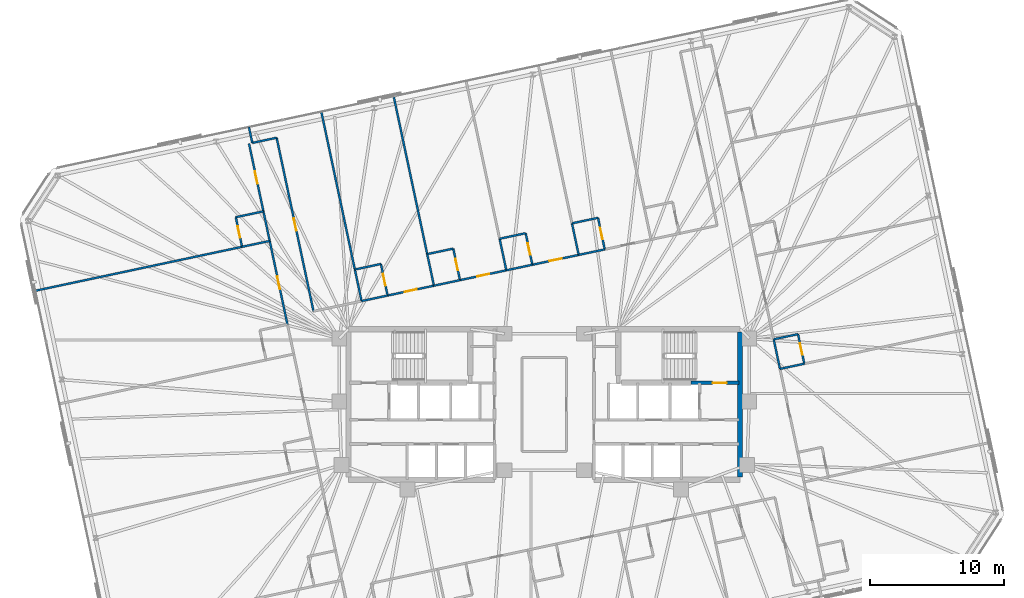
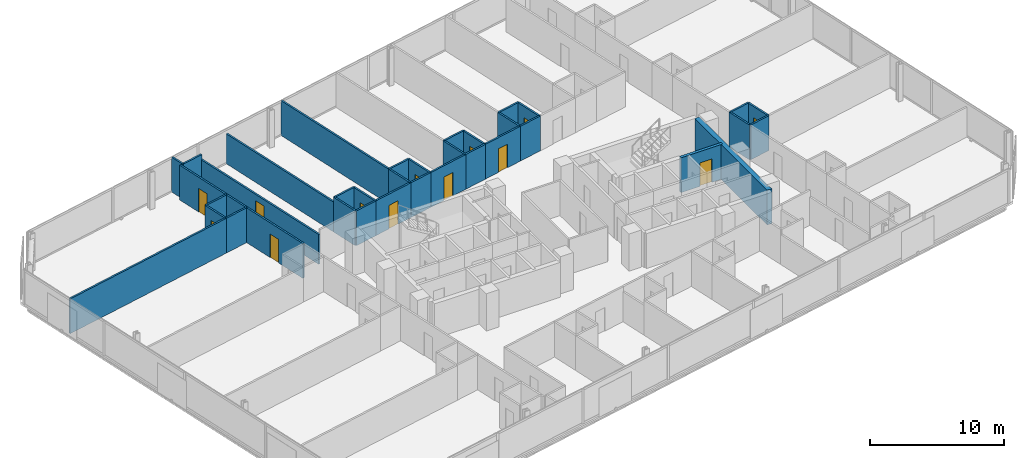
# One storey, part 17 of 20: 37 walls, 13 doors, 13 openings.
"""IFC4 building model written with IfcOpenShell, lengths in metres."""

from ifc_helpers import new_model, si_unit, direction, frame, frame_2d, origin, place, context, subcontext, project, spatial, rectangle, extrude, material, layer, layer_set, type_object, element, fill, save


model = new_model("IFC4")

# Units and contexts
model_context = context("Model", 3, precision=1e-05, world=origin(), true_north=direction((0.0, 1.0)))
body_context = subcontext(model_context, "Body", "Model", "MODEL_VIEW")
ifc_project = project(units=[si_unit("LENGTHUNIT", "METRE"), si_unit("AREAUNIT", "SQUARE_METRE"), si_unit("VOLUMEUNIT", "CUBIC_METRE"), si_unit("PLANEANGLEUNIT", "RADIAN"), si_unit("MASSUNIT", "GRAM", prefix="KILO")], contexts=[model_context])

# Site, building, storey
site_placement = place(None, origin())
site = spatial("IfcSite", under=ifc_project, at=site_placement, CompositionType="ELEMENT")
building_placement = place(site_placement, origin())
building = spatial("IfcBuilding", under=site, at=building_placement, Name="Menara Jurai Vektor", CompositionType="ELEMENT")
storey_placement = place(building_placement, frame((0.0, 0.0, 158.199951171875)))
storey = spatial("IfcBuildingStorey", under=building, at=storey_placement, Name="L40", CompositionType="ELEMENT", Elevation=158.199951171875)

# Wall, opening, door
ifc_material_1 = material(Name="Concrete C40/50", Category="concrete")
ifc_layer_1 = layer(ifc_material_1, 0.25)
ifc_layer_set_1 = layer_set([ifc_layer_1], Name="Concrete C40/50")
wall_type_1 = type_object("IfcWallType", Name="INT-WALL-CORE-250", PredefinedType="STANDARD", material=ifc_layer_set_1)
wall_1_placement = place(storey_placement, frame((10.89990234375, 1.60009765625, 0.0), z_axis=(0.0, 0.0, 1.0), x_axis=(1.0, 0.0, 0.0)))
wall_1 = element("IfcWall", 1, at=wall_1_placement, inside=storey, type_object=wall_type_1, Name="Interior Wall IW-250 L40", PredefinedType="STANDARD", context=body_context, shape_type="SweptSolid", body=[
    extrude(rectangle(XDim=3.60009765625, YDim=0.25, at=frame_2d((1.800048828125, 0.0))), origin(), (0.0, 0.0, 1.0), 3.175048828125),
])
opening_1_placement = place(wall_1_placement, frame((1.6201171875, 0.0, 0.0)))
opening_1 = element("IfcOpeningElement", 2, at=opening_1_placement, cuts=wall_1, Name="Opening D-L40-ST2", PredefinedType="OPENING", context=body_context, shape_type="SweptSolid", body=[
    extrude(rectangle(XDim=1.050048828125, YDim=2.14990234375, at=frame_2d((0.52490234375, 1.074951171875))), frame((0.0, 0.135009765625, 0.0), z_axis=(0.0, -1.0, 0.0), x_axis=(1.0, 0.0, 0.0)), (0.0, 0.0, 1.0), 0.27001953125),
])
ifc_material_2 = material(Name="Fire-Rated Steel Door", Category="steel")
door_type_1 = type_object("IfcDoorType", Name="DR-STAIR-1050", OperationType="NOTDEFINED", PredefinedType="DOOR", material=ifc_material_2)
door_1_placement = place(opening_1_placement, origin())
door_1 = element("IfcDoor", 3, at=door_1_placement, inside=storey, type_object=door_type_1, Name="Exit Stair ST2 Door L40", OperationType="SINGLE_SWING_LEFT", OverallHeight=2.14990234375, OverallWidth=1.050048828125, PredefinedType="DOOR", context=body_context, shape_type="SweptSolid", body=[
    extrude(rectangle(XDim=1.050048828125, YDim=2.14990234375, at=frame_2d((0.52490234375, 1.074951171875))), frame((0.0, 0.02490234375, 0.0), z_axis=(0.0, -1.0, 0.0), x_axis=(1.0, 0.0, 0.0)), (0.0, 0.0, 1.0), 0.050048828125),
])
fill(opening_1, door_1)

# Wall
ifc_material_3 = material(Name="Gypsum Fireboard Partition", Category="gypsum")
ifc_layer_2 = layer(ifc_material_3, 0.14990234375)
ifc_layer_set_2 = layer_set([ifc_layer_2], Name="Gypsum Fireboard Partition")
wall_type_2 = type_object("IfcWallType", Name="INT-WALL-CORR-150", PredefinedType="PARTITIONING", material=ifc_layer_set_2)
wall_2_placement = place(storey_placement, frame((-21.71533203125, 19.447998046875, 0.0), z_axis=(0.0, 0.0, 1.0), x_axis=(0.978160192495, 0.207852442415, 0.0)))
element("IfcWall", 4, at=wall_2_placement, inside=storey, type_object=wall_type_2, Name="Interior Wall IW-150 L40", PredefinedType="PARTITIONING", context=body_context, shape_type="SweptSolid", body=[
    extrude(rectangle(XDim=1.849853515625, YDim=0.14990234375, at=frame_2d((0.9248046875, 0.0))), origin(), (0.0, 0.0, 1.0), 3.175048828125),
])

# Wall, opening, door
wall_3_placement = place(storey_placement, frame((-11.651611328125, 8.097412109375, 0.0), z_axis=(0.0, 0.0, 1.0), x_axis=(0.978153036861, 0.207886114205, 0.0)))
wall_3 = element("IfcWall", 5, at=wall_3_placement, inside=storey, type_object=wall_type_2, Name="Interior Wall IW-150 L40", PredefinedType="PARTITIONING", context=body_context, shape_type="SweptSolid", body=[
    extrude(rectangle(XDim=3.52197265625, YDim=0.14990234375, at=frame_2d((1.760986328125, 0.0))), origin(), (0.0, 0.0, 1.0), 3.175048828125),
])
opening_2_placement = place(wall_3_placement, frame((1.301025390625, 0.0, 0.0)))
opening_2 = element("IfcOpeningElement", 6, at=opening_2_placement, cuts=wall_3, Name="Opening D40-08", PredefinedType="OPENING", context=body_context, shape_type="SweptSolid", body=[
    extrude(rectangle(XDim=0.919921875, YDim=2.14990234375, at=frame_2d((0.4599609375, 1.074951171875))), frame((0.0, 0.0849609375, 0.0), z_axis=(0.0, -1.0, 0.0), x_axis=(1.0, 0.0, 0.0)), (0.0, 0.0, 1.0), 0.169921875),
])
ifc_material_4 = material(Name="Solid Core Timber Fire Door", Category="wood")
door_type_2 = type_object("IfcDoorType", Name="DR-ENTRY-950", OperationType="NOTDEFINED", PredefinedType="DOOR", material=ifc_material_4)
door_2_placement = place(opening_2_placement, origin())
door_2 = element("IfcDoor", 7, at=door_2_placement, inside=storey, type_object=door_type_2, Name="Interior Door D40-08", OperationType="SINGLE_SWING_LEFT", OverallHeight=2.14990234375, OverallWidth=0.919921875, PredefinedType="DOOR", context=body_context, shape_type="SweptSolid", body=[
    extrude(rectangle(XDim=0.919921875, YDim=2.14990234375, at=frame_2d((0.4599609375, 1.074951171875))), frame((0.0, 0.02490234375, 0.0), z_axis=(0.0, -1.0, 0.0), x_axis=(1.0, 0.0, 0.0)), (0.0, 0.0, 1.0), 0.050048828125),
])
fill(opening_2, door_2)

# Wall
wall_4_placement = place(storey_placement, frame((-13.589111328125, 7.685302734375, 0.0), z_axis=(0.0, 0.0, 1.0), x_axis=(0.97811873796, 0.208047433175, 0.0)))
element("IfcWall", 8, at=wall_4_placement, inside=storey, type_object=wall_type_2, Name="Interior Wall IW-150 L40", PredefinedType="PARTITIONING", context=body_context, shape_type="SweptSolid", body=[
    extrude(rectangle(XDim=1.98095703125, YDim=0.14990234375, at=frame_2d((0.990478515625, 0.0))), origin(), (0.0, 0.0, 1.0), 3.175048828125),
])

# Wall, opening, door
wall_5_placement = place(storey_placement, frame((-6.268798828125, 9.241455078125, 0.0), z_axis=(0.0, 0.0, 1.0), x_axis=(0.978150924733, 0.207896052016, 0.0)))
wall_5 = element("IfcWall", 9, at=wall_5_placement, inside=storey, type_object=wall_type_2, Name="Interior Wall IW-150 L40", PredefinedType="PARTITIONING", context=body_context, shape_type="SweptSolid", body=[
    extrude(rectangle(XDim=3.52294921875, YDim=0.14990234375, at=frame_2d((1.761474609375, 0.0))), origin(), (0.0, 0.0, 1.0), 3.175048828125),
])
opening_3_placement = place(wall_5_placement, frame((1.301513671875, 0.0, 0.0)))
opening_3 = element("IfcOpeningElement", 10, at=opening_3_placement, cuts=wall_5, Name="Opening D40-10", PredefinedType="OPENING", context=body_context, shape_type="SweptSolid", body=[
    extrude(rectangle(XDim=0.919921875, YDim=2.14990234375, at=frame_2d((0.4599609375, 1.074951171875))), frame((0.0, 0.0849609375, 0.0), z_axis=(0.0, -1.0, 0.0), x_axis=(1.0, 0.0, 0.0)), (0.0, 0.0, 1.0), 0.169921875),
])
door_3_placement = place(opening_3_placement, origin())
door_3 = element("IfcDoor", 11, at=door_3_placement, inside=storey, type_object=door_type_2, Name="Interior Door D40-10", OperationType="SINGLE_SWING_LEFT", OverallHeight=2.14990234375, OverallWidth=0.919921875, PredefinedType="DOOR", context=body_context, shape_type="SweptSolid", body=[
    extrude(rectangle(XDim=0.919921875, YDim=2.14990234375, at=frame_2d((0.4599609375, 1.074951171875))), frame((0.0, 0.02490234375, 0.0), z_axis=(0.0, -1.0, 0.0), x_axis=(1.0, 0.0, 0.0)), (0.0, 0.0, 1.0), 0.050048828125),
])
fill(opening_3, door_3)

# Wall
wall_6_placement = place(storey_placement, frame((-8.20654296875, 8.82958984375, 0.0), z_axis=(0.0, 0.0, 1.0), x_axis=(0.978149140323, 0.20790444749, 0.0)))
element("IfcWall", 12, at=wall_6_placement, inside=storey, type_object=wall_type_2, Name="Interior Wall IW-150 L40", PredefinedType="PARTITIONING", context=body_context, shape_type="SweptSolid", body=[
    extrude(rectangle(XDim=1.98095703125, YDim=0.14990234375, at=frame_2d((0.990478515625, 0.0))), origin(), (0.0, 0.0, 1.0), 3.175048828125),
])

# Wall, opening, door
wall_7_placement = place(storey_placement, frame((-0.885009765625, 10.3857421875, 0.0), z_axis=(0.0, 0.0, 1.0), x_axis=(0.978153036861, 0.207886114205, 0.0)))
wall_7 = element("IfcWall", 13, at=wall_7_placement, inside=storey, type_object=wall_type_2, Name="Interior Wall IW-150 L40", PredefinedType="PARTITIONING", context=body_context, shape_type="SweptSolid", body=[
    extrude(rectangle(XDim=3.52197265625, YDim=0.14990234375, at=frame_2d((1.760986328125, 0.0))), origin(), (0.0, 0.0, 1.0), 3.175048828125),
])
opening_4_placement = place(wall_7_placement, frame((1.301025390625, 0.0, 0.0)))
opening_4 = element("IfcOpeningElement", 14, at=opening_4_placement, cuts=wall_7, Name="Opening D40-12", PredefinedType="OPENING", context=body_context, shape_type="SweptSolid", body=[
    extrude(rectangle(XDim=0.919921875, YDim=2.14990234375, at=frame_2d((0.4599609375, 1.074951171875))), frame((0.0, 0.0849609375, 0.0), z_axis=(0.0, -1.0, 0.0), x_axis=(1.0, 0.0, 0.0)), (0.0, 0.0, 1.0), 0.169921875),
])
door_4_placement = place(opening_4_placement, origin())
door_4 = element("IfcDoor", 15, at=door_4_placement, inside=storey, type_object=door_type_2, Name="Interior Door D40-12", OperationType="SINGLE_SWING_LEFT", OverallHeight=2.14990234375, OverallWidth=0.919921875, PredefinedType="DOOR", context=body_context, shape_type="SweptSolid", body=[
    extrude(rectangle(XDim=0.919921875, YDim=2.14990234375, at=frame_2d((0.4599609375, 1.074951171875))), frame((0.0, 0.02490234375, 0.0), z_axis=(0.0, -1.0, 0.0), x_axis=(1.0, 0.0, 0.0)), (0.0, 0.0, 1.0), 0.050048828125),
])
fill(opening_4, door_4)

# Walls
for number, where, z_axis, x_axis, name in (
    (16, (-2.82275390625, 9.973876953125, 0.0), (0.0, 0.0, 1.0), (0.978149140323, 0.20790444749, 0.0), "Interior Wall IW-150 L40"),
    (17, (2.56005859375, 11.117919921875, 0.0), (0.0, 0.0, 1.0), (0.978149140323, 0.20790444749, 0.0), "Interior Wall IW-150 L40"),
):
    element("IfcWall", number, at=place(storey_placement, frame(where, z_axis=z_axis, x_axis=x_axis)), inside=storey, type_object=wall_type_2, Name=name, PredefinedType="PARTITIONING", context=body_context, shape_type="SweptSolid", body=[
        extrude(rectangle(XDim=1.98095703125, YDim=0.14990234375, at=frame_2d((0.990478515625, 0.0))), origin(), (0.0, 0.0, 1.0), 3.175048828125),
    ])

# Wall, opening, door
wall_8_placement = place(storey_placement, frame((-19.10107421875, 5.9462890625, 0.0), z_axis=(0.0, 0.0, 1.0), x_axis=(-0.207916691923, 0.978146537703, 0.0)))
wall_8 = element("IfcWall", 18, at=wall_8_placement, inside=storey, type_object=wall_type_2, Name="Interior Wall IW-150 L40", PredefinedType="PARTITIONING", context=body_context, shape_type="SweptSolid", body=[
    extrude(rectangle(XDim=6.35009765625, YDim=0.14990234375, at=frame_2d((3.175048828125, 0.0))), origin(), (0.0, 0.0, 1.0), 3.175048828125),
])
opening_5_placement = place(wall_8_placement, frame((2.699951171875, 0.0, 0.0)))
opening_5 = element("IfcOpeningElement", 19, at=opening_5_placement, cuts=wall_8, Name="Opening D40-33", PredefinedType="OPENING", context=body_context, shape_type="SweptSolid", body=[
    extrude(rectangle(XDim=0.949951171875, YDim=2.14990234375, at=frame_2d((0.47509765625, 1.074951171875))), frame((0.0, 0.0849609375, 0.0), z_axis=(0.0, -1.0, 0.0), x_axis=(1.0, 0.0, 0.0)), (0.0, 0.0, 1.0), 0.169921875),
])
door_5_placement = place(opening_5_placement, origin())
door_5 = element("IfcDoor", 20, at=door_5_placement, inside=storey, type_object=door_type_2, Name="Interior Door D40-33", OperationType="SINGLE_SWING_RIGHT", OverallHeight=2.14990234375, OverallWidth=0.949951171875, PredefinedType="DOOR", context=body_context, shape_type="SweptSolid", body=[
    extrude(rectangle(XDim=0.949951171875, YDim=2.14990234375, at=frame_2d((0.47509765625, 1.074951171875))), frame((0.0, 0.02490234375, 0.0), z_axis=(0.0, -1.0, 0.0), x_axis=(1.0, 0.0, 0.0)), (0.0, 0.0, 1.0), 0.050048828125),
])
fill(opening_5, door_5)

wall_9_placement = place(storey_placement, frame((-20.88916015625, 14.3583984375, 0.0), z_axis=(0.0, 0.0, 1.0), x_axis=(-0.207916584961, 0.978146560439, 0.0)))
wall_9 = element("IfcWall", 21, at=wall_9_placement, inside=storey, type_object=wall_type_2, Name="Interior Wall IW-150 L40", PredefinedType="PARTITIONING", context=body_context, shape_type="SweptSolid", body=[
    extrude(rectangle(XDim=5.150146484375, YDim=0.14990234375, at=frame_2d((2.5751953125, 0.0))), origin(), (0.0, 0.0, 1.0), 3.175048828125),
])
opening_6_placement = place(wall_9_placement, frame((2.10009765625, 0.0, 0.0)))
opening_6 = element("IfcOpeningElement", 22, at=opening_6_placement, cuts=wall_9, Name="Opening D40-35", PredefinedType="OPENING", context=body_context, shape_type="SweptSolid", body=[
    extrude(rectangle(XDim=0.949951171875, YDim=2.14990234375, at=frame_2d((0.47509765625, 1.074951171875))), frame((0.0, 0.0849609375, 0.0), z_axis=(0.0, -1.0, 0.0), x_axis=(1.0, 0.0, 0.0)), (0.0, 0.0, 1.0), 0.169921875),
])
door_6_placement = place(opening_6_placement, origin())
door_6 = element("IfcDoor", 23, at=door_6_placement, inside=storey, type_object=door_type_2, Name="Interior Door D40-35", OperationType="SINGLE_SWING_RIGHT", OverallHeight=2.14990234375, OverallWidth=0.949951171875, PredefinedType="DOOR", context=body_context, shape_type="SweptSolid", body=[
    extrude(rectangle(XDim=0.949951171875, YDim=2.14990234375, at=frame_2d((0.47509765625, 1.074951171875))), frame((0.0, 0.02490234375, 0.0), z_axis=(0.0, -1.0, 0.0), x_axis=(1.0, 0.0, 0.0)), (0.0, 0.0, 1.0), 0.050048828125),
])
fill(opening_6, door_6)

# Walls
for number, where, z_axis, x_axis, name in (
    (24, (-20.42138671875, 12.15771484375, 0.0), (0.0, 0.0, 1.0), (-0.207913264065, 0.978147266328, 0.0), "Interior Wall IW-150 L40"),
    (25, (17.53173828125, 2.640625, 0.0), (0.0, 0.0, 1.0), (-0.207913264065, 0.978147266328, 0.0), "Interior Wall IW-150 L40"),
):
    element("IfcWall", number, at=place(storey_placement, frame(where, z_axis=z_axis, x_axis=x_axis)), inside=storey, type_object=wall_type_2, Name=name, PredefinedType="PARTITIONING", context=body_context, shape_type="SweptSolid", body=[
        extrude(rectangle(XDim=2.249755859375, YDim=0.14990234375, at=frame_2d((1.125, 0.0))), origin(), (0.0, 0.0, 1.0), 3.175048828125),
    ])
wall_10_placement = place(storey_placement, frame((-13.589111328125, 7.685302734375, 0.0), z_axis=(0.0, 0.0, 1.0), x_axis=(-0.207917150959, 0.978146440129, 0.0)))
element("IfcWall", 26, at=wall_10_placement, inside=storey, type_object=wall_type_2, Name="Interior Wall IW-150 L40", PredefinedType="PARTITIONING", context=body_context, shape_type="SweptSolid", body=[
    extrude(rectangle(XDim=2.400146484375, YDim=0.14990234375, at=frame_2d((1.2001953125, 0.0))), origin(), (0.0, 0.0, 1.0), 3.175048828125),
])
wall_11_placement = place(storey_placement, frame((-21.71533203125, 19.447998046875, 0.0), z_axis=(0.0, 0.0, 1.0), x_axis=(-0.20795853359, 0.978137642823, 0.0)))
element("IfcWall", 27, at=wall_11_placement, inside=storey, type_object=wall_type_2, Name="Interior Wall IW-150 L40", PredefinedType="PARTITIONING", context=body_context, shape_type="SweptSolid", body=[
    extrude(rectangle(XDim=1.19970703125, YDim=0.14990234375, at=frame_2d((0.599853515625, 0.0))), origin(), (0.0, 0.0, 1.0), 3.175048828125),
])
wall_12_placement = place(storey_placement, frame((-14.088134765625, 10.032958984375, 0.0), z_axis=(0.0, 0.0, 1.0), x_axis=(0.978149140323, 0.20790444749, 0.0)))
element("IfcWall", 28, at=wall_12_placement, inside=storey, type_object=wall_type_2, Name="Interior Wall IW-150 L40", PredefinedType="PARTITIONING", context=body_context, shape_type="SweptSolid", body=[
    extrude(rectangle(XDim=1.98095703125, YDim=0.14990234375, at=frame_2d((0.990478515625, 0.0))), origin(), (0.0, 0.0, 1.0), 3.175048828125),
])

# Wall, opening, door
wall_13_placement = place(storey_placement, frame((-11.651611328125, 8.097412109375, 0.0), z_axis=(0.0, 0.0, 1.0), x_axis=(-0.207840504985, 0.978162729042, 0.0)))
wall_13 = element("IfcWall", 29, at=wall_13_placement, inside=storey, type_object=wall_type_2, Name="Interior Wall IW-150 L40", PredefinedType="PARTITIONING", context=body_context, shape_type="SweptSolid", body=[
    extrude(rectangle(XDim=2.39990234375, YDim=0.14990234375, at=frame_2d((1.199951171875, 0.0))), origin(), (0.0, 0.0, 1.0), 3.175048828125),
])
opening_7_placement = place(wall_13_placement, frame((0.760009765625, 0.0, 0.0)))
opening_7 = element("IfcOpeningElement", 30, at=opening_7_placement, cuts=wall_13, Name="Opening D40-09", PredefinedType="OPENING", context=body_context, shape_type="SweptSolid", body=[
    extrude(rectangle(XDim=0.8798828125, YDim=2.14990234375, at=frame_2d((0.43994140625, 1.074951171875))), frame((0.0, 0.0849609375, 0.0), z_axis=(0.0, -1.0, 0.0), x_axis=(1.0, 0.0, 0.0)), (0.0, 0.0, 1.0), 0.169921875),
])
ifc_material_5 = material(Name="Moisture-Resistant Timber Door", Category="wood")
door_type_3 = type_object("IfcDoorType", Name="DR-BATH-880", OperationType="NOTDEFINED", PredefinedType="DOOR", material=ifc_material_5)
door_7_placement = place(opening_7_placement, origin())
door_7 = element("IfcDoor", 31, at=door_7_placement, inside=storey, type_object=door_type_3, Name="Interior Door D40-09", OperationType="SINGLE_SWING_RIGHT", OverallHeight=2.14990234375, OverallWidth=0.8798828125, PredefinedType="DOOR", context=body_context, shape_type="SweptSolid", body=[
    extrude(rectangle(XDim=0.8798828125, YDim=2.14990234375, at=frame_2d((0.43994140625, 1.074951171875))), frame((0.0, 0.02490234375, 0.0), z_axis=(0.0, -1.0, 0.0), x_axis=(1.0, 0.0, 0.0)), (0.0, 0.0, 1.0), 0.050048828125),
])
fill(opening_7, door_7)

# Walls
wall_14_placement = place(storey_placement, frame((-8.70556640625, 11.177001953125, 0.0), z_axis=(0.0, 0.0, 1.0), x_axis=(-0.207910848762, 0.978147779718, 0.0)))
element("IfcWall", 32, at=wall_14_placement, inside=storey, type_object=wall_type_2, Name="Interior Wall IW-150 L40", PredefinedType="PARTITIONING", context=body_context, shape_type="SweptSolid", body=[
    extrude(rectangle(XDim=11.9951171875, YDim=0.14990234375, at=frame_2d((5.99755859375, 0.0))), origin(), (0.0, 0.0, 1.0), 3.175048828125),
])
wall_15_placement = place(storey_placement, frame((-8.20654296875, 8.82958984375, 0.0), z_axis=(0.0, 0.0, 1.0), x_axis=(-0.207937840262, 0.978142042133, 0.0)))
element("IfcWall", 33, at=wall_15_placement, inside=storey, type_object=wall_type_2, Name="Interior Wall IW-150 L40", PredefinedType="PARTITIONING", context=body_context, shape_type="SweptSolid", body=[
    extrude(rectangle(XDim=2.39990234375, YDim=0.14990234375, at=frame_2d((1.199951171875, 0.0))), origin(), (0.0, 0.0, 1.0), 3.175048828125),
])
wall_16_placement = place(storey_placement, frame((-8.70556640625, 11.177001953125, 0.0), z_axis=(0.0, 0.0, 1.0), x_axis=(0.978149140323, 0.20790444749, 0.0)))
element("IfcWall", 34, at=wall_16_placement, inside=storey, type_object=wall_type_2, Name="Interior Wall IW-150 L40", PredefinedType="PARTITIONING", context=body_context, shape_type="SweptSolid", body=[
    extrude(rectangle(XDim=1.98095703125, YDim=0.14990234375, at=frame_2d((0.990478515625, 0.0))), origin(), (0.0, 0.0, 1.0), 3.175048828125),
])

# Wall, opening, door
wall_17_placement = place(storey_placement, frame((-6.268798828125, 9.241455078125, 0.0), z_axis=(0.0, 0.0, 1.0), x_axis=(-0.207937840262, 0.978142042133, 0.0)))
wall_17 = element("IfcWall", 35, at=wall_17_placement, inside=storey, type_object=wall_type_2, Name="Interior Wall IW-150 L40", PredefinedType="PARTITIONING", context=body_context, shape_type="SweptSolid", body=[
    extrude(rectangle(XDim=2.39990234375, YDim=0.14990234375, at=frame_2d((1.199951171875, 0.0))), origin(), (0.0, 0.0, 1.0), 3.175048828125),
])
opening_8_placement = place(wall_17_placement, frame((0.760009765625, 0.0, 0.0)))
opening_8 = element("IfcOpeningElement", 36, at=opening_8_placement, cuts=wall_17, Name="Opening D40-11", PredefinedType="OPENING", context=body_context, shape_type="SweptSolid", body=[
    extrude(rectangle(XDim=0.8798828125, YDim=2.14990234375, at=frame_2d((0.43994140625, 1.074951171875))), frame((0.0, 0.0849609375, 0.0), z_axis=(0.0, -1.0, 0.0), x_axis=(1.0, 0.0, 0.0)), (0.0, 0.0, 1.0), 0.169921875),
])
door_8_placement = place(opening_8_placement, origin())
door_8 = element("IfcDoor", 37, at=door_8_placement, inside=storey, type_object=door_type_3, Name="Interior Door D40-11", OperationType="SINGLE_SWING_RIGHT", OverallHeight=2.14990234375, OverallWidth=0.8798828125, PredefinedType="DOOR", context=body_context, shape_type="SweptSolid", body=[
    extrude(rectangle(XDim=0.8798828125, YDim=2.14990234375, at=frame_2d((0.43994140625, 1.074951171875))), frame((0.0, 0.02490234375, 0.0), z_axis=(0.0, -1.0, 0.0), x_axis=(1.0, 0.0, 0.0)), (0.0, 0.0, 1.0), 0.050048828125),
])
fill(opening_8, door_8)

# Walls
wall_18_placement = place(storey_placement, frame((-2.82275390625, 9.973876953125, 0.0), z_axis=(0.0, 0.0, 1.0), x_axis=(-0.207937840262, 0.978142042133, 0.0)))
element("IfcWall", 38, at=wall_18_placement, inside=storey, type_object=wall_type_2, Name="Interior Wall IW-150 L40", PredefinedType="PARTITIONING", context=body_context, shape_type="SweptSolid", body=[
    extrude(rectangle(XDim=2.39990234375, YDim=0.14990234375, at=frame_2d((1.199951171875, 0.0))), origin(), (0.0, 0.0, 1.0), 3.175048828125),
])
wall_19_placement = place(storey_placement, frame((-3.32177734375, 12.3212890625, 0.0), z_axis=(0.0, 0.0, 1.0), x_axis=(0.978124071753, 0.208022355187, 0.0)))
element("IfcWall", 39, at=wall_19_placement, inside=storey, type_object=wall_type_2, Name="Interior Wall IW-150 L40", PredefinedType="PARTITIONING", context=body_context, shape_type="SweptSolid", body=[
    extrude(rectangle(XDim=1.981201171875, YDim=0.14990234375, at=frame_2d((0.99072265625, 0.0))), origin(), (0.0, 0.0, 1.0), 3.175048828125),
])

# Wall, opening, door
wall_20_placement = place(storey_placement, frame((-0.885009765625, 10.3857421875, 0.0), z_axis=(0.0, 0.0, 1.0), x_axis=(-0.207917150959, 0.978146440129, 0.0)))
wall_20 = element("IfcWall", 40, at=wall_20_placement, inside=storey, type_object=wall_type_2, Name="Interior Wall IW-150 L40", PredefinedType="PARTITIONING", context=body_context, shape_type="SweptSolid", body=[
    extrude(rectangle(XDim=2.400146484375, YDim=0.14990234375, at=frame_2d((1.2001953125, 0.0))), origin(), (0.0, 0.0, 1.0), 3.175048828125),
])
opening_9_placement = place(wall_20_placement, frame((0.760009765625, 0.0, 0.0)))
opening_9 = element("IfcOpeningElement", 41, at=opening_9_placement, cuts=wall_20, Name="Opening D40-13", PredefinedType="OPENING", context=body_context, shape_type="SweptSolid", body=[
    extrude(rectangle(XDim=0.8798828125, YDim=2.14990234375, at=frame_2d((0.43994140625, 1.074951171875))), frame((0.0, 0.0849609375, 0.0), z_axis=(0.0, -1.0, 0.0), x_axis=(1.0, 0.0, 0.0)), (0.0, 0.0, 1.0), 0.169921875),
])
door_9_placement = place(opening_9_placement, origin())
door_9 = element("IfcDoor", 42, at=door_9_placement, inside=storey, type_object=door_type_3, Name="Interior Door D40-13", OperationType="SINGLE_SWING_RIGHT", OverallHeight=2.14990234375, OverallWidth=0.8798828125, PredefinedType="DOOR", context=body_context, shape_type="SweptSolid", body=[
    extrude(rectangle(XDim=0.8798828125, YDim=2.14990234375, at=frame_2d((0.43994140625, 1.074951171875))), frame((0.0, 0.02490234375, 0.0), z_axis=(0.0, -1.0, 0.0), x_axis=(1.0, 0.0, 0.0)), (0.0, 0.0, 1.0), 0.050048828125),
])
fill(opening_9, door_9)

# Walls
wall_21_placement = place(storey_placement, frame((2.56005859375, 11.117919921875, 0.0), z_axis=(0.0, 0.0, 1.0), x_axis=(-0.207917150959, 0.978146440129, 0.0)))
element("IfcWall", 43, at=wall_21_placement, inside=storey, type_object=wall_type_2, Name="Interior Wall IW-150 L40", PredefinedType="PARTITIONING", context=body_context, shape_type="SweptSolid", body=[
    extrude(rectangle(XDim=2.400146484375, YDim=0.14990234375, at=frame_2d((1.2001953125, 0.0))), origin(), (0.0, 0.0, 1.0), 3.175048828125),
])
wall_22_placement = place(storey_placement, frame((2.06103515625, 13.465576171875, 0.0), z_axis=(0.0, 0.0, 1.0), x_axis=(0.978149140323, 0.20790444749, 0.0)))
element("IfcWall", 44, at=wall_22_placement, inside=storey, type_object=wall_type_2, Name="Interior Wall IW-150 L40", PredefinedType="PARTITIONING", context=body_context, shape_type="SweptSolid", body=[
    extrude(rectangle(XDim=1.98095703125, YDim=0.14990234375, at=frame_2d((0.990478515625, 0.0))), origin(), (0.0, 0.0, 1.0), 3.175048828125),
])

# Wall, opening, door
wall_23_placement = place(storey_placement, frame((4.497802734375, 11.52978515625, 0.0), z_axis=(0.0, 0.0, 1.0), x_axis=(-0.207917150959, 0.978146440129, 0.0)))
wall_23 = element("IfcWall", 45, at=wall_23_placement, inside=storey, type_object=wall_type_2, Name="Interior Wall IW-150 L40", PredefinedType="PARTITIONING", context=body_context, shape_type="SweptSolid", body=[
    extrude(rectangle(XDim=2.400146484375, YDim=0.14990234375, at=frame_2d((1.2001953125, 0.0))), origin(), (0.0, 0.0, 1.0), 3.175048828125),
])
opening_10_placement = place(wall_23_placement, frame((0.760009765625, 0.0, 0.0)))
opening_10 = element("IfcOpeningElement", 46, at=opening_10_placement, cuts=wall_23, Name="Opening D40-15", PredefinedType="OPENING", context=body_context, shape_type="SweptSolid", body=[
    extrude(rectangle(XDim=0.8798828125, YDim=2.14990234375, at=frame_2d((0.43994140625, 1.074951171875))), frame((0.0, 0.0849609375, 0.0), z_axis=(0.0, -1.0, 0.0), x_axis=(1.0, 0.0, 0.0)), (0.0, 0.0, 1.0), 0.169921875),
])
door_10_placement = place(opening_10_placement, origin())
door_10 = element("IfcDoor", 47, at=door_10_placement, inside=storey, type_object=door_type_3, Name="Interior Door D40-15", OperationType="SINGLE_SWING_RIGHT", OverallHeight=2.14990234375, OverallWidth=0.8798828125, PredefinedType="DOOR", context=body_context, shape_type="SweptSolid", body=[
    extrude(rectangle(XDim=0.8798828125, YDim=2.14990234375, at=frame_2d((0.43994140625, 1.074951171875))), frame((0.0, 0.02490234375, 0.0), z_axis=(0.0, -1.0, 0.0), x_axis=(1.0, 0.0, 0.0)), (0.0, 0.0, 1.0), 0.050048828125),
])
fill(opening_10, door_10)

# Walls
wall_24_placement = place(storey_placement, frame((-37.85009765625, 8.453125, 0.0), z_axis=(0.0, 0.0, 1.0), x_axis=(0.978149296727, 0.207903711638, 0.0)))
element("IfcWall", 48, at=wall_24_placement, inside=storey, type_object=wall_type_2, Name="Interior Wall IW-150 L40", PredefinedType="PARTITIONING", context=body_context, shape_type="SweptSolid", body=[
    extrude(rectangle(XDim=15.718017578125, YDim=0.14990234375, at=frame_2d((7.85888671875, 0.0))), origin(), (0.0, 0.0, 1.0), 3.175048828125),
])
wall_25_placement = place(storey_placement, frame((-22.4755859375, 11.720947265625, 0.0), z_axis=(0.0, 0.0, 1.0), x_axis=(0.978134617382, 0.207972763311, 0.0)))
element("IfcWall", 49, at=wall_25_placement, inside=storey, type_object=wall_type_2, Name="Interior Wall IW-150 L40", PredefinedType="PARTITIONING", context=body_context, shape_type="SweptSolid", body=[
    extrude(rectangle(XDim=2.10009765625, YDim=0.14990234375, at=frame_2d((1.050048828125, 0.0))), origin(), (0.0, 0.0, 1.0), 3.175048828125),
])

# Wall, opening, door
wall_26_placement = place(storey_placement, frame((-22.4755859375, 11.720947265625, 0.0), z_axis=(0.0, 0.0, 1.0), x_axis=(-0.207891197838, 0.978151956427, 0.0)))
wall_26 = element("IfcWall", 50, at=wall_26_placement, inside=storey, type_object=wall_type_2, Name="Interior Wall IW-150 L40", PredefinedType="PARTITIONING", context=body_context, shape_type="SweptSolid", body=[
    extrude(rectangle(XDim=2.25, YDim=0.14990234375, at=frame_2d((1.125, 0.0))), origin(), (0.0, 0.0, 1.0), 3.175048828125),
])
opening_11_placement = place(wall_26_placement, frame((0.68505859375, 0.0, 0.0)))
opening_11 = element("IfcOpeningElement", 51, at=opening_11_placement, cuts=wall_26, Name="Opening D40-36", PredefinedType="OPENING", context=body_context, shape_type="SweptSolid", body=[
    extrude(rectangle(XDim=0.8798828125, YDim=2.14990234375, at=frame_2d((0.43994140625, 1.074951171875))), frame((0.0, 0.0849609375, 0.0), z_axis=(0.0, -1.0, 0.0), x_axis=(1.0, 0.0, 0.0)), (0.0, 0.0, 1.0), 0.169921875),
])
door_11_placement = place(opening_11_placement, origin())
door_11 = element("IfcDoor", 52, at=door_11_placement, inside=storey, type_object=door_type_3, Name="Interior Door D40-36", OperationType="SINGLE_SWING_LEFT", OverallHeight=2.14990234375, OverallWidth=0.8798828125, PredefinedType="DOOR", context=body_context, shape_type="SweptSolid", body=[
    extrude(rectangle(XDim=0.8798828125, YDim=2.14990234375, at=frame_2d((0.43994140625, 1.074951171875))), frame((0.0, 0.02490234375, 0.0), z_axis=(0.0, -1.0, 0.0), x_axis=(1.0, 0.0, 0.0)), (0.0, 0.0, 1.0), 0.050048828125),
])
fill(opening_11, door_11)

# Walls
wall_27_placement = place(storey_placement, frame((-22.943359375, 13.921875, 0.0), z_axis=(0.0, 0.0, 1.0), x_axis=(0.97815826, 0.207861536591, 0.0)))
element("IfcWall", 53, at=wall_27_placement, inside=storey, type_object=wall_type_2, Name="Interior Wall IW-150 L40", PredefinedType="PARTITIONING", context=body_context, shape_type="SweptSolid", body=[
    extrude(rectangle(XDim=2.10009765625, YDim=0.14990234375, at=frame_2d((1.050048828125, 0.0))), origin(), (0.0, 0.0, 1.0), 3.175048828125),
])
wall_28_placement = place(storey_placement, frame((17.53173828125, 2.640625, 0.0), z_axis=(0.0, 0.0, 1.0), x_axis=(0.978160192495, 0.207852442415, 0.0)))
element("IfcWall", 54, at=wall_28_placement, inside=storey, type_object=wall_type_2, Name="Interior Wall IW-150 L40", PredefinedType="PARTITIONING", context=body_context, shape_type="SweptSolid", body=[
    extrude(rectangle(XDim=1.849853515625, YDim=0.14990234375, at=frame_2d((0.9248046875, 0.0))), origin(), (0.0, 0.0, 1.0), 3.175048828125),
])
wall_29_placement = place(storey_placement, frame((17.06396484375, 4.84130859375, 0.0), z_axis=(0.0, 0.0, 1.0), x_axis=(0.978133353907, 0.20797870558, 0.0)))
element("IfcWall", 55, at=wall_29_placement, inside=storey, type_object=wall_type_2, Name="Interior Wall IW-150 L40", PredefinedType="PARTITIONING", context=body_context, shape_type="SweptSolid", body=[
    extrude(rectangle(XDim=1.85009765625, YDim=0.14990234375, at=frame_2d((0.925048828125, 0.0))), origin(), (0.0, 0.0, 1.0), 3.175048828125),
])

# Wall, opening, door
wall_30_placement = place(storey_placement, frame((19.34130859375, 3.025146484375, 0.0), z_axis=(0.0, 0.0, 1.0), x_axis=(-0.207891197838, 0.978151956427, 0.0)))
wall_30 = element("IfcWall", 56, at=wall_30_placement, inside=storey, type_object=wall_type_2, Name="Interior Wall IW-150 L40", PredefinedType="PARTITIONING", context=body_context, shape_type="SweptSolid", body=[
    extrude(rectangle(XDim=2.25, YDim=0.14990234375, at=frame_2d((1.125, 0.0))), origin(), (0.0, 0.0, 1.0), 3.175048828125),
])
opening_12_placement = place(wall_30_placement, frame((0.68505859375, 0.0, 0.0)))
opening_12 = element("IfcOpeningElement", 57, at=opening_12_placement, cuts=wall_30, Name="Opening D40-42", PredefinedType="OPENING", context=body_context, shape_type="SweptSolid", body=[
    extrude(rectangle(XDim=0.8798828125, YDim=2.14990234375, at=frame_2d((0.43994140625, 1.074951171875))), frame((0.0, 0.0849609375, 0.0), z_axis=(0.0, -1.0, 0.0), x_axis=(1.0, 0.0, 0.0)), (0.0, 0.0, 1.0), 0.169921875),
])
door_12_placement = place(opening_12_placement, origin())
door_12 = element("IfcDoor", 58, at=door_12_placement, inside=storey, type_object=door_type_3, Name="Interior Door D40-42", OperationType="SINGLE_SWING_LEFT", OverallHeight=2.14990234375, OverallWidth=0.8798828125, PredefinedType="DOOR", context=body_context, shape_type="SweptSolid", body=[
    extrude(rectangle(XDim=0.8798828125, YDim=2.14990234375, at=frame_2d((0.43994140625, 1.074951171875))), frame((0.0, 0.02490234375, 0.0), z_axis=(0.0, -1.0, 0.0), x_axis=(1.0, 0.0, 0.0)), (0.0, 0.0, 1.0), 0.050048828125),
])
fill(opening_12, door_12)

ifc_layer_3 = layer(ifc_material_3, 0.14990234375)
ifc_layer_set_3 = layer_set([ifc_layer_3], Name="Gypsum Fireboard Partition")
wall_type_3 = type_object("IfcWallType", Name="INT-WALL-CORR-150-H1", PredefinedType="PARTITIONING", material=ifc_layer_set_3)
wall_31_placement = place(storey_placement, frame((-17.162353515625, 6.92578125, 0.0), z_axis=(0.0, 0.0, 1.0), x_axis=(-0.207911421929, 0.978147657888, 0.0)))
wall_31 = element("IfcWall", 59, at=wall_31_placement, inside=storey, type_object=wall_type_3, Name="Interior Wall IW-150 L40", PredefinedType="PARTITIONING", context=body_context, shape_type="SweptSolid", body=[
    extrude(rectangle(XDim=13.195068359375, YDim=0.14990234375, at=frame_2d((6.59765625, 0.0))), origin(), (0.0, 0.0, 1.0), 2.72509765625),
])
opening_13_placement = place(wall_31_placement, frame((6.137451171875, 0.0, 0.0)))
opening_13 = element("IfcOpeningElement", 60, at=opening_13_placement, cuts=wall_31, Name="Opening D40-07", PredefinedType="OPENING", context=body_context, shape_type="SweptSolid", body=[
    extrude(rectangle(XDim=0.919921875, YDim=2.14990234375, at=frame_2d((0.4599609375, 1.074951171875))), frame((0.0, 0.0849609375, 0.0), z_axis=(0.0, -1.0, 0.0), x_axis=(1.0, 0.0, 0.0)), (0.0, 0.0, 1.0), 0.169921875),
])
door_13_placement = place(opening_13_placement, origin())
door_13 = element("IfcDoor", 61, at=door_13_placement, inside=storey, type_object=door_type_2, Name="Interior Door D40-07", OperationType="SINGLE_SWING_RIGHT", OverallHeight=2.14990234375, OverallWidth=0.919921875, PredefinedType="DOOR", context=body_context, shape_type="SweptSolid", body=[
    extrude(rectangle(XDim=0.919921875, YDim=2.14990234375, at=frame_2d((0.4599609375, 1.074951171875))), frame((0.0, 0.02490234375, 0.0), z_axis=(0.0, -1.0, 0.0), x_axis=(1.0, 0.0, 0.0)), (0.0, 0.0, 1.0), 0.050048828125),
])
fill(opening_13, door_13)

# Walls
wall_32_placement = place(storey_placement, frame((-14.088134765625, 10.032958984375, 0.0), z_axis=(0.0, 0.0, 1.0), x_axis=(-0.207910848762, 0.978147779718, 0.0)))
element("IfcWall", 62, at=wall_32_placement, inside=storey, type_object=wall_type_3, Name="Interior Wall IW-150 L40", PredefinedType="PARTITIONING", context=body_context, shape_type="SweptSolid", body=[
    extrude(rectangle(XDim=11.9951171875, YDim=0.14990234375, at=frame_2d((5.99755859375, 0.0))), origin(), (0.0, 0.0, 1.0), 2.72509765625),
])
ifc_material_6 = material(Name="Concrete C50/60", Category="concrete")
ifc_layer_4 = layer(ifc_material_6, 0.39990234375)
ifc_layer_set_4 = layer_set([ifc_layer_4], Name="Concrete C50/60")
wall_type_4 = type_object("IfcWallType", Name="STR-WALL-CORE400", PredefinedType="SHEAR", material=ifc_layer_set_4)
wall_33_placement = place(storey_placement, frame((14.56005859375, -5.39990234375, 0.0), z_axis=(0.0, 0.0, 1.0), x_axis=(0.0, 1.0, 0.0)))
element("IfcWall", 63, at=wall_33_placement, inside=storey, type_object=wall_type_4, Name="Core Shear Wall CW-E-E L40", PredefinedType="SHEAR", context=body_context, shape_type="SweptSolid", body=[
    extrude(rectangle(XDim=10.7998046875, YDim=0.39990234375, at=frame_2d((5.39990234375, 0.0))), origin(), (0.0, 0.0, 1.0), 3.175048828125),
])

save(model, "model.ifc")
